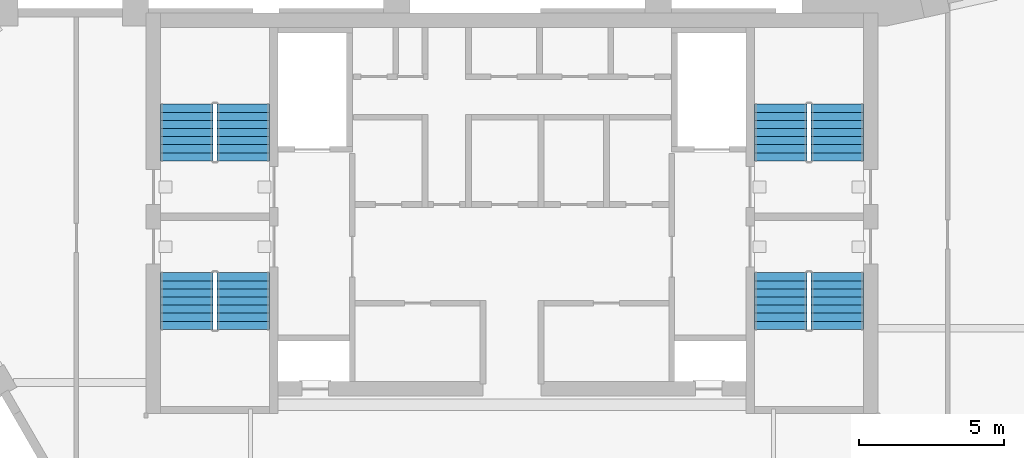
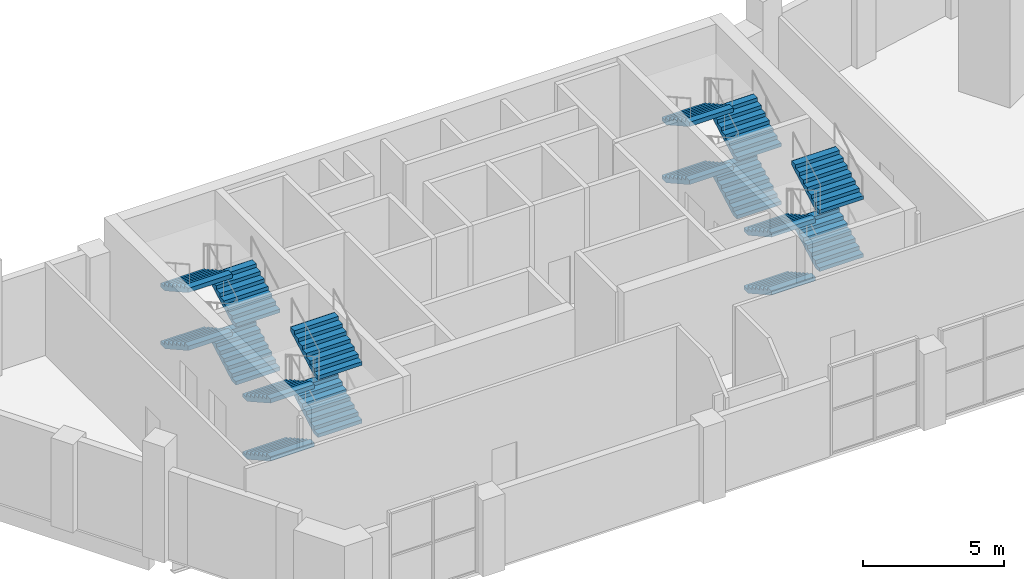
# One storey, part 7 of 9: 16 stair flights, 4 elements without a shape of their own.
"""IFC4 building model written with IfcOpenShell, lengths in metres."""

import ifcopenshell
import ifcopenshell.guid

model = None  # the IFC model being written
_history = None  # IfcOwnerHistory: only IFC2X3 demands one
_inside = {}  # id of a spatial element -> (the spatial element, [elements in it])
_under = {}  # id of a project, library or spatial element -> (it, [spatial elements below it])
_declared = {}  # id of a project -> (the project, [libraries it declares])
_typed = {}  # id of a type object -> (the type object, [elements of that type])
_made_of = {}  # id of a material, layer set ... -> (it, [elements and type objects made of it])


def new_model(schema):
    """Start an empty IFC model of exactly this schema.

    Asked for "IFC4X3", IfcOpenShell would pick the latest addendum, in which some entities
    have other attributes; the version numbers below select the first issue.
    IFC2X3 requires an IfcOwnerHistory on every rooted entity: one is made here for all.
    """
    global model, _history
    if schema == "IFC4X3":
        model = ifcopenshell.file(schema_version=(4, 3, 0, 0))
    else:
        model = ifcopenshell.file(schema=schema)
    _inside.clear()
    _under.clear()
    _declared.clear()
    _typed.clear()
    _made_of.clear()
    _history = None
    if model.schema == "IFC2X3":
        org = make("IfcOrganization", Name="unknown")
        user = make(
            "IfcPersonAndOrganization",
            ThePerson=make("IfcPerson", FamilyName="unknown"),
            TheOrganization=org,
        )
        app = make(
            "IfcApplication",
            ApplicationDeveloper=org,
            Version="unknown",
            ApplicationFullName="unknown",
            ApplicationIdentifier="unknown",
        )
        _history = make(
            "IfcOwnerHistory",
            OwningUser=user,
            OwningApplication=app,
            ChangeAction="ADDED",
            CreationDate=0,
        )
    return model


def make(cls, **values):
    """One entity of the class cls with the attributes given. An attribute that is None is left unset."""
    return model.create_entity(
        cls, **{name: value for name, value in values.items() if value is not None}
    )


def rooted(cls, **values):
    """An entity with a GlobalId (a new one), such as an element, a storey or a relation."""
    return make(cls, GlobalId=ifcopenshell.guid.new(), OwnerHistory=_history, **values)


def si_unit(unit_type, name, prefix=None):
    """IfcSIUnit, for example si_unit("LENGTHUNIT", "METRE", prefix="MILLI")."""
    return make("IfcSIUnit", UnitType=unit_type, Prefix=prefix, Name=name)


def assignment(units):
    """IfcUnitAssignment: the units of a project."""
    return None if units is None else make("IfcUnitAssignment", Units=units)


def point(xyz):
    """IfcCartesianPoint."""
    return None if xyz is None else make("IfcCartesianPoint", Coordinates=xyz)


def direction(xyz):
    """IfcDirection."""
    return None if xyz is None else make("IfcDirection", DirectionRatios=xyz)


def frame(location, z_axis=None, x_axis=None):
    """IfcAxis2Placement3D, a coordinate frame: its origin and axes. An axis left out is left unset."""
    return make(
        "IfcAxis2Placement3D",
        Location=point(location),
        Axis=direction(z_axis),
        RefDirection=direction(x_axis),
    )


def origin():
    """The frame at (0, 0, 0) with its axes left unset."""
    return frame((0.0, 0.0, 0.0))


def place(relative_to, where):
    """IfcLocalPlacement: puts the frame where relative to a parent placement (None: the world)."""
    return make(
        "IfcLocalPlacement", PlacementRelTo=relative_to, RelativePlacement=where
    )


def context(
    kind, dimensions, precision=None, world=None, true_north=None, identifier=None
):
    """IfcGeometricRepresentationContext, for example the 3D "Model" context."""
    return make(
        "IfcGeometricRepresentationContext",
        ContextIdentifier=identifier,
        ContextType=kind,
        CoordinateSpaceDimension=dimensions,
        Precision=precision,
        WorldCoordinateSystem=world,
        TrueNorth=true_north,
    )


def subcontext(parent, identifier, kind, view, scale=None):
    """IfcGeometricRepresentationSubContext, for example "Body" below "Model"."""
    return make(
        "IfcGeometricRepresentationSubContext",
        ContextIdentifier=identifier,
        ContextType=kind,
        ParentContext=parent,
        TargetScale=scale,
        TargetView=view,
    )


def project(units=None, contexts=None):
    """IfcProject with its units and contexts."""
    return rooted(
        "IfcProject",
        Name="project",
        RepresentationContexts=contexts,
        UnitsInContext=assignment(units),
    )


def spatial(cls, under=None, at=None, **own):
    """A site, building, storey or space (cls), placed at a placement, below another one or the project."""
    s = rooted(cls, ObjectPlacement=at, **own)
    if under is not None:
        _under.setdefault(under.id(), (under, []))[1].append(s)
    return s


def faces_of(points, faces, orient=None, outer=None):
    """IfcFace entities. A face is a list of loops; a loop is a list of indices into points, from 0.

    orient and outer hold one flag for each loop. By default every Orientation is true, the
    first loop of a face is its IfcFaceOuterBound and the others are IfcFaceBound.
    """
    made = []
    for i, loops in enumerate(faces):
        bounds = []
        for j, loop in enumerate(loops):
            is_outer = j == 0 if outer is None else outer[i][j]
            bounds.append(
                make(
                    "IfcFaceOuterBound" if is_outer else "IfcFaceBound",
                    Bound=make("IfcPolyLoop", Polygon=[points[k] for k in loop]),
                    Orientation=True if orient is None else orient[i][j],
                )
            )
        made.append(make("IfcFace", Bounds=bounds))
    return made


def faceted_brep(points, faces, orient=None, outer=None, voids=None):
    """IfcFacetedBrep: a solid bounded by flat faces; with voids (closed shells), ...WithVoids."""
    shared = [point(p) for p in points]
    hull = make("IfcClosedShell", CfsFaces=faces_of(shared, faces, orient, outer))
    if voids is None:
        return make("IfcFacetedBrep", Outer=hull)
    return make(
        "IfcFacetedBrepWithVoids",
        Outer=hull,
        Voids=[
            make(cls, CfsFaces=faces_of(shared, fs, o, b)) for cls, fs, o, b in voids
        ],
    )


def shape(context_of_items, identifier, shape_type, items):
    """IfcShapeRepresentation: the items that make up one representation, for example the "Body"."""
    return make(
        "IfcShapeRepresentation",
        ContextOfItems=context_of_items,
        RepresentationIdentifier=identifier,
        RepresentationType=shape_type,
        Items=items,
    )


def source(mapping_origin, context_of_items, identifier, shape_type, items):
    """IfcRepresentationMap: a shape defined once, which mapped items show again and again."""
    return make(
        "IfcRepresentationMap",
        MappingOrigin=mapping_origin,
        MappedRepresentation=shape(context_of_items, identifier, shape_type, items),
    )


def transform(
    local_origin,
    x_axis=None,
    y_axis=None,
    z_axis=None,
    scale=None,
    scale2=None,
    scale3=None,
    uniform=True,
):
    """IfcCartesianTransformationOperator3D, or its non-uniform kind. x_axis, y_axis, z_axis: its Axis1, 2, 3."""
    if uniform:
        return make(
            "IfcCartesianTransformationOperator3D",
            Axis1=direction(x_axis),
            Axis2=direction(y_axis),
            LocalOrigin=point(local_origin),
            Scale=scale,
            Axis3=direction(z_axis),
        )
    return make(
        "IfcCartesianTransformationOperator3DnonUniform",
        Axis1=direction(x_axis),
        Axis2=direction(y_axis),
        LocalOrigin=point(local_origin),
        Scale=scale,
        Axis3=direction(z_axis),
        Scale2=scale2,
        Scale3=scale3,
    )


def mapped(mapping_source, mapping_target):
    """IfcMappedItem: shows the shape of a source again, moved by a transform."""
    return make(
        "IfcMappedItem", MappingSource=mapping_source, MappingTarget=mapping_target
    )


def material(Name=None, Category=None):
    """IfcMaterial."""
    return make("IfcMaterial", Name=Name, Category=Category)


def made_of(thing, what):
    """Note that an element or type object is made of a material, layer set ...; save() writes the relation."""
    if what is not None:
        _made_of.setdefault(what.id(), (what, []))[1].append(thing)
    return thing


def type_object(cls, material=None, **own):
    """A type object (cls), such as IfcWallType, which elements share."""
    return made_of(rooted(cls, **own), material)


def element(
    cls,
    number,
    at=None,
    inside=None,
    cuts=None,
    type_object=None,
    material=None,
    context=None,
    identifier="Body",
    shape_type=None,
    held_by="IfcProductDefinitionShape",
    body=None,
    shapes=None,
    **own,
):
    """One element of the class cls, such as IfcWall. Its Tag is "e" and its number.

    at: its placement. inside: the storey or other place that contains it. cuts: it is an
    opening in that element (IfcRelVoidsElement). A single representation is given by context,
    identifier, shape_type and body (its items); several are given by shapes. held_by: the class
    of the entity that holds the representations. save() writes the other relations.
    """
    e = rooted(cls, Tag="e%d" % number, ObjectPlacement=at, **own)
    if body is not None:
        shapes = [shape(context, identifier, shape_type, body)]
    if shapes is not None:
        e.Representation = make(held_by, Representations=shapes)
    if inside is not None:
        _inside.setdefault(inside.id(), (inside, []))[1].append(e)
    if cuts is not None:
        rooted(
            "IfcRelVoidsElement", RelatingBuildingElement=cuts, RelatedOpeningElement=e
        )
    if type_object is not None:
        _typed.setdefault(type_object.id(), (type_object, []))[1].append(e)
    return made_of(e, material)


def aggregate(whole, parts):
    """IfcRelAggregates: a whole, such as a stair, and the parts it consists of."""
    return rooted("IfcRelAggregates", RelatingObject=whole, RelatedObjects=parts)


def save(model, path):
    """Write the relations noted so far, then the file.

    IfcRelAggregates (storeys below a building ...), IfcRelContainedInSpatialStructure (elements
    in a storey), IfcRelDefinesByType, IfcRelAssociatesMaterial and IfcRelDeclares: one each for
    every whole, place, type object, material and project.
    """
    for whole, parts in _under.values():
        aggregate(whole, parts)
    for where, things in _inside.values():
        rooted(
            "IfcRelContainedInSpatialStructure",
            RelatedElements=things,
            RelatingStructure=where,
        )
    for kind, things in _typed.values():
        rooted("IfcRelDefinesByType", RelatedObjects=things, RelatingType=kind)
    for what, things in _made_of.values():
        rooted("IfcRelAssociatesMaterial", RelatedObjects=things, RelatingMaterial=what)
    for by, libraries in _declared.values():
        rooted("IfcRelDeclares", RelatingContext=by, RelatedDefinitions=libraries)
    model.write(path)


model = new_model("IFC4")

# Units and contexts
model_context = context("Model", 3, precision=1e-05, world=origin(), true_north=direction((0.0, 1.0)))
body_context = subcontext(model_context, "Body", "Model", "MODEL_VIEW")
ifc_project = project(units=[si_unit("LENGTHUNIT", "METRE"), si_unit("AREAUNIT", "SQUARE_METRE"), si_unit("VOLUMEUNIT", "CUBIC_METRE"), si_unit("PLANEANGLEUNIT", "RADIAN"), si_unit("MASSUNIT", "GRAM", prefix="KILO")], contexts=[model_context])

# Site, building, storey
site_placement = place(None, origin())
site = spatial("IfcSite", under=ifc_project, at=site_placement, CompositionType="ELEMENT")
building_placement = place(site_placement, origin())
building = spatial("IfcBuilding", under=site, at=building_placement, Name="Calabash Gate Tower", CompositionType="ELEMENT")
storey_placement = place(building_placement, frame((0.0, 0.0, 330.5)))
storey = spatial("IfcBuildingStorey", under=building, at=storey_placement, Name="L77", CompositionType="ELEMENT", Elevation=330.5)

# Stair, stair flights
ifc_material_1 = material(Name="Concrete C40/50", Category="concrete")
stair_type = type_object("IfcStairType", Name="Exit stair 32 risers of 156.2 mm", PredefinedType="HALF_TURN_STAIR", material=ifc_material_1)
stair_1_placement = place(storey_placement, origin())
stair_1 = element("IfcStair", 1, at=stair_1_placement, inside=storey, type_object=stair_type, Name="L77 Exit stair ST1", PredefinedType="HALF_TURN_STAIR")
ifc_material_2 = material(Name="Concrete C40/50", Category="concrete")
stair_flight_type = type_object("IfcStairFlightType", Name="Exit stair flight SFL", PredefinedType="STRAIGHT", material=ifc_material_2)
shared_shape = source(origin(), body_context, "Body", "Brep", [
    faceted_brep([(-0.0009765625, -0.89990234375, 0.0), (0.306884765625, -0.89990234375, 0.0), (1.9541015625, -0.89990234375, 0.921875), (-0.0009765625, 0.89990234375, 0.0), (1.9541015625, 0.89990234375, 0.921875), (0.306884765625, 0.89990234375, 0.0), (1.9541015625, -0.89990234375, 1.105712890625), (1.952880859375, -0.89990234375, 1.105712890625), (1.952880859375, 0.89990234375, 1.105712890625), (1.9541015625, 0.89990234375, 1.105712890625), (1.952880859375, -0.89990234375, 1.09375), (1.952880859375, 0.89990234375, 1.09375), (1.674072265625, -0.89990234375, 1.09375), (1.674072265625, 0.89990234375, 1.09375), (1.674072265625, -0.89990234375, 0.9375), (1.674072265625, 0.89990234375, 0.9375), (1.39501953125, -0.89990234375, 0.9375), (1.39501953125, 0.89990234375, 0.9375), (1.39501953125, -0.89990234375, 0.78125), (1.39501953125, 0.89990234375, 0.78125), (1.115966796875, -0.89990234375, 0.78125), (1.115966796875, -0.89990234375, 0.625), (1.115966796875, 0.89990234375, 0.625), (1.115966796875, 0.89990234375, 0.78125), (0.8369140625, -0.89990234375, 0.625), (0.8369140625, -0.89990234375, 0.46875), (0.8369140625, 0.89990234375, 0.46875), (0.8369140625, 0.89990234375, 0.625), (0.55810546875, -0.89990234375, 0.46875), (0.55810546875, -0.89990234375, 0.3125), (0.55810546875, 0.89990234375, 0.3125), (0.55810546875, 0.89990234375, 0.46875), (0.279052734375, -0.89990234375, 0.3125), (0.279052734375, -0.89990234375, 0.15625), (0.279052734375, 0.89990234375, 0.15625), (0.279052734375, 0.89990234375, 0.3125), (-0.0009765625, -0.89990234375, 0.15625), (-0.0009765625, 0.89990234375, 0.15625), (0.306884765625, -0.360107421875, 0.0), (1.9541015625, -0.360107421875, 0.921875), (0.306884765625, -0.27001953125, 0.0), (1.9541015625, -0.27001953125, 0.921875), (0.306884765625, -0.179931640625, 0.0), (1.9541015625, -0.179931640625, 0.921875), (0.306884765625, -0.090087890625, 0.0), (1.9541015625, -0.090087890625, 0.921875), (0.306884765625, 0.0, 0.0), (1.9541015625, 0.0, 0.921875), (0.306884765625, 0.090087890625, 0.0), (1.9541015625, 0.090087890625, 0.921875), (0.306884765625, 0.179931640625, 0.0), (1.9541015625, 0.179931640625, 0.921875), (0.306884765625, 0.27001953125, 0.0), (1.9541015625, 0.27001953125, 0.921875), (0.306884765625, 0.360107421875, 0.0), (1.9541015625, 0.360107421875, 0.921875), (1.9541015625, -0.360107421875, 1.105712890625), (1.9541015625, -0.27001953125, 1.105712890625), (1.9541015625, -0.179931640625, 1.105712890625), (1.9541015625, -0.090087890625, 1.105712890625), (1.9541015625, 0.0, 1.105712890625), (1.9541015625, 0.090087890625, 1.105712890625), (1.9541015625, 0.179931640625, 1.105712890625), (1.9541015625, 0.27001953125, 1.105712890625), (1.9541015625, 0.360107421875, 1.105712890625), (1.952880859375, -0.360107421875, 1.105712890625), (1.952880859375, -0.27001953125, 1.105712890625), (1.952880859375, -0.179931640625, 1.105712890625), (1.952880859375, -0.090087890625, 1.105712890625), (1.952880859375, 0.0, 1.105712890625), (1.952880859375, 0.090087890625, 1.105712890625), (1.952880859375, 0.179931640625, 1.105712890625), (1.952880859375, 0.27001953125, 1.105712890625), (1.952880859375, 0.360107421875, 1.105712890625), (1.952880859375, -0.360107421875, 1.09375), (1.952880859375, -0.27001953125, 1.09375), (1.952880859375, -0.179931640625, 1.09375), (1.952880859375, -0.090087890625, 1.09375), (1.952880859375, 0.0, 1.09375), (1.952880859375, 0.090087890625, 1.09375), (1.952880859375, 0.179931640625, 1.09375), (1.952880859375, 0.27001953125, 1.09375), (1.952880859375, 0.360107421875, 1.09375), (1.674072265625, -0.360107421875, 1.09375), (1.674072265625, -0.27001953125, 1.09375), (1.674072265625, -0.179931640625, 1.09375), (1.674072265625, -0.090087890625, 1.09375), (1.674072265625, 0.0, 1.09375), (1.674072265625, 0.090087890625, 1.09375), (1.674072265625, 0.179931640625, 1.09375), (1.674072265625, 0.27001953125, 1.09375), (1.674072265625, 0.360107421875, 1.09375), (1.674072265625, -0.360107421875, 0.9375), (1.674072265625, -0.27001953125, 0.9375), (1.674072265625, -0.179931640625, 0.9375), (1.674072265625, -0.090087890625, 0.9375), (1.674072265625, 0.0, 0.9375), (1.674072265625, 0.090087890625, 0.9375), (1.674072265625, 0.179931640625, 0.9375), (1.674072265625, 0.27001953125, 0.9375), (1.674072265625, 0.360107421875, 0.9375), (1.39501953125, -0.360107421875, 0.9375), (1.39501953125, -0.27001953125, 0.9375), (1.39501953125, -0.179931640625, 0.9375), (1.39501953125, -0.090087890625, 0.9375), (1.39501953125, 0.0, 0.9375), (1.39501953125, 0.090087890625, 0.9375), (1.39501953125, 0.179931640625, 0.9375), (1.39501953125, 0.27001953125, 0.9375), (1.39501953125, 0.360107421875, 0.9375), (1.39501953125, -0.360107421875, 0.78125), (1.39501953125, -0.27001953125, 0.78125), (1.39501953125, -0.179931640625, 0.78125), (1.39501953125, -0.090087890625, 0.78125), (1.39501953125, 0.0, 0.78125), (1.39501953125, 0.090087890625, 0.78125), (1.39501953125, 0.179931640625, 0.78125), (1.39501953125, 0.27001953125, 0.78125), (1.39501953125, 0.360107421875, 0.78125), (1.115966796875, -0.360107421875, 0.78125), (1.115966796875, -0.27001953125, 0.78125), (1.115966796875, -0.179931640625, 0.78125), (1.115966796875, -0.090087890625, 0.78125), (1.115966796875, 0.0, 0.78125), (1.115966796875, 0.090087890625, 0.78125), (1.115966796875, 0.179931640625, 0.78125), (1.115966796875, 0.27001953125, 0.78125), (1.115966796875, 0.360107421875, 0.78125), (1.115966796875, -0.360107421875, 0.625), (1.115966796875, -0.27001953125, 0.625), (1.115966796875, -0.179931640625, 0.625), (1.115966796875, -0.090087890625, 0.625), (1.115966796875, 0.0, 0.625), (1.115966796875, 0.090087890625, 0.625), (1.115966796875, 0.179931640625, 0.625), (1.115966796875, 0.27001953125, 0.625), (1.115966796875, 0.360107421875, 0.625), (0.8369140625, -0.360107421875, 0.625), (0.8369140625, -0.27001953125, 0.625), (0.8369140625, -0.179931640625, 0.625), (0.8369140625, -0.090087890625, 0.625), (0.8369140625, 0.0, 0.625), (0.8369140625, 0.090087890625, 0.625), (0.8369140625, 0.179931640625, 0.625), (0.8369140625, 0.27001953125, 0.625), (0.8369140625, 0.360107421875, 0.625), (0.8369140625, -0.360107421875, 0.46875), (0.8369140625, -0.27001953125, 0.46875), (0.8369140625, -0.179931640625, 0.46875), (0.8369140625, -0.090087890625, 0.46875), (0.8369140625, 0.0, 0.46875), (0.8369140625, 0.090087890625, 0.46875), (0.8369140625, 0.179931640625, 0.46875), (0.8369140625, 0.27001953125, 0.46875), (0.8369140625, 0.360107421875, 0.46875), (0.55810546875, -0.360107421875, 0.46875), (0.55810546875, -0.27001953125, 0.46875), (0.55810546875, -0.179931640625, 0.46875), (0.55810546875, -0.090087890625, 0.46875), (0.55810546875, 0.0, 0.46875), (0.55810546875, 0.090087890625, 0.46875), (0.55810546875, 0.179931640625, 0.46875), (0.55810546875, 0.27001953125, 0.46875), (0.55810546875, 0.360107421875, 0.46875), (0.55810546875, -0.360107421875, 0.3125), (0.55810546875, -0.27001953125, 0.3125), (0.55810546875, -0.179931640625, 0.3125), (0.55810546875, -0.090087890625, 0.3125), (0.55810546875, 0.0, 0.3125), (0.55810546875, 0.090087890625, 0.3125), (0.55810546875, 0.179931640625, 0.3125), (0.55810546875, 0.27001953125, 0.3125), (0.55810546875, 0.360107421875, 0.3125), (0.279052734375, -0.360107421875, 0.3125), (0.279052734375, -0.27001953125, 0.3125), (0.279052734375, -0.179931640625, 0.3125), (0.279052734375, -0.090087890625, 0.3125), (0.279052734375, 0.0, 0.3125), (0.279052734375, 0.090087890625, 0.3125), (0.279052734375, 0.179931640625, 0.3125), (0.279052734375, 0.27001953125, 0.3125), (0.279052734375, 0.360107421875, 0.3125), (0.279052734375, -0.360107421875, 0.15625), (0.279052734375, -0.27001953125, 0.15625), (0.279052734375, -0.179931640625, 0.15625), (0.279052734375, -0.090087890625, 0.15625), (0.279052734375, 0.0, 0.15625), (0.279052734375, 0.090087890625, 0.15625), (0.279052734375, 0.179931640625, 0.15625), (0.279052734375, 0.27001953125, 0.15625), (0.279052734375, 0.360107421875, 0.15625), (-0.0009765625, -0.360107421875, 0.15625), (-0.0009765625, -0.27001953125, 0.15625), (-0.0009765625, -0.179931640625, 0.15625), (-0.0009765625, -0.090087890625, 0.15625), (-0.0009765625, 0.0, 0.15625), (-0.0009765625, 0.090087890625, 0.15625), (-0.0009765625, 0.179931640625, 0.15625), (-0.0009765625, 0.27001953125, 0.15625), (-0.0009765625, 0.360107421875, 0.15625), (-0.0009765625, -0.360107421875, 0.0), (-0.0009765625, -0.27001953125, 0.0), (-0.0009765625, -0.179931640625, 0.0), (-0.0009765625, -0.090087890625, 0.0), (-0.0009765625, 0.0, 0.0), (-0.0009765625, 0.090087890625, 0.0), (-0.0009765625, 0.179931640625, 0.0), (-0.0009765625, 0.27001953125, 0.0), (-0.0009765625, 0.360107421875, 0.0)], [[[0, 1, 2]], [[3, 4, 5]], [[2, 6, 7]], [[4, 8, 9]], [[2, 7, 10]], [[4, 11, 8]], [[2, 10, 12]], [[4, 13, 11]], [[2, 12, 14]], [[4, 15, 13]], [[2, 14, 16]], [[4, 17, 15]], [[2, 16, 18]], [[4, 19, 17]], [[18, 20, 21]], [[19, 22, 23]], [[2, 18, 21]], [[4, 22, 19]], [[21, 24, 25]], [[22, 26, 27]], [[2, 21, 25]], [[4, 26, 22]], [[25, 28, 29]], [[26, 30, 31]], [[2, 25, 29]], [[4, 30, 26]], [[29, 32, 33]], [[30, 34, 35]], [[2, 29, 33]], [[4, 34, 30]], [[0, 2, 33]], [[3, 34, 4]], [[33, 36, 0]], [[34, 3, 37]], [[1, 38, 2]], [[38, 39, 2]], [[38, 40, 39]], [[40, 41, 39]], [[40, 42, 41]], [[42, 43, 41]], [[42, 44, 43]], [[44, 45, 43]], [[44, 46, 45]], [[46, 47, 45]], [[46, 48, 49]], [[46, 49, 47]], [[48, 50, 51]], [[48, 51, 49]], [[50, 52, 53]], [[50, 53, 51]], [[52, 54, 55]], [[52, 55, 53]], [[54, 5, 4]], [[54, 4, 55]], [[2, 39, 6]], [[39, 56, 6]], [[39, 41, 56]], [[41, 57, 56]], [[41, 43, 57]], [[43, 58, 57]], [[43, 45, 58]], [[45, 59, 58]], [[45, 47, 59]], [[47, 60, 59]], [[47, 49, 61]], [[47, 61, 60]], [[49, 51, 62]], [[49, 62, 61]], [[51, 53, 63]], [[51, 63, 62]], [[53, 55, 64]], [[53, 64, 63]], [[55, 4, 9]], [[55, 9, 64]], [[6, 56, 7]], [[56, 65, 7]], [[56, 57, 65]], [[57, 66, 65]], [[57, 58, 66]], [[58, 67, 66]], [[58, 59, 67]], [[59, 68, 67]], [[59, 60, 68]], [[60, 69, 68]], [[60, 61, 70]], [[60, 70, 69]], [[61, 62, 71]], [[61, 71, 70]], [[62, 63, 72]], [[62, 72, 71]], [[63, 64, 73]], [[63, 73, 72]], [[64, 9, 8]], [[64, 8, 73]], [[7, 65, 10]], [[65, 74, 10]], [[65, 66, 74]], [[66, 75, 74]], [[66, 67, 75]], [[67, 76, 75]], [[67, 68, 76]], [[68, 77, 76]], [[68, 69, 77]], [[69, 78, 77]], [[69, 70, 79]], [[69, 79, 78]], [[70, 71, 80]], [[70, 80, 79]], [[71, 72, 81]], [[71, 81, 80]], [[72, 73, 82]], [[72, 82, 81]], [[73, 8, 11]], [[73, 11, 82]], [[10, 74, 12]], [[74, 83, 12]], [[74, 75, 83]], [[75, 84, 83]], [[75, 76, 84]], [[76, 85, 84]], [[76, 77, 85]], [[77, 86, 85]], [[77, 78, 86]], [[78, 87, 86]], [[78, 79, 88]], [[78, 88, 87]], [[79, 80, 89]], [[79, 89, 88]], [[80, 81, 90]], [[80, 90, 89]], [[81, 82, 91]], [[81, 91, 90]], [[82, 11, 13]], [[82, 13, 91]], [[12, 83, 14]], [[83, 92, 14]], [[83, 84, 92]], [[84, 93, 92]], [[84, 85, 93]], [[85, 94, 93]], [[85, 86, 94]], [[86, 95, 94]], [[86, 87, 95]], [[87, 96, 95]], [[87, 88, 97]], [[87, 97, 96]], [[88, 89, 98]], [[88, 98, 97]], [[89, 90, 99]], [[89, 99, 98]], [[90, 91, 100]], [[90, 100, 99]], [[91, 13, 15]], [[91, 15, 100]], [[14, 92, 16]], [[92, 101, 16]], [[92, 93, 101]], [[93, 102, 101]], [[93, 94, 102]], [[94, 103, 102]], [[94, 95, 103]], [[95, 104, 103]], [[95, 96, 104]], [[96, 105, 104]], [[96, 97, 106]], [[96, 106, 105]], [[97, 98, 107]], [[97, 107, 106]], [[98, 99, 108]], [[98, 108, 107]], [[99, 100, 109]], [[99, 109, 108]], [[100, 15, 17]], [[100, 17, 109]], [[16, 101, 18]], [[101, 110, 18]], [[101, 102, 110]], [[102, 111, 110]], [[102, 103, 111]], [[103, 112, 111]], [[103, 104, 112]], [[104, 113, 112]], [[104, 105, 113]], [[105, 114, 113]], [[105, 106, 115]], [[105, 115, 114]], [[106, 107, 116]], [[106, 116, 115]], [[107, 108, 117]], [[107, 117, 116]], [[108, 109, 118]], [[108, 118, 117]], [[109, 17, 19]], [[109, 19, 118]], [[18, 110, 20]], [[110, 119, 20]], [[110, 111, 119]], [[111, 120, 119]], [[111, 112, 120]], [[112, 121, 120]], [[112, 113, 121]], [[113, 122, 121]], [[113, 114, 122]], [[114, 123, 122]], [[114, 115, 124]], [[114, 124, 123]], [[115, 116, 125]], [[115, 125, 124]], [[116, 117, 126]], [[116, 126, 125]], [[117, 118, 127]], [[117, 127, 126]], [[118, 19, 23]], [[118, 23, 127]], [[20, 119, 21]], [[119, 128, 21]], [[119, 120, 128]], [[120, 129, 128]], [[120, 121, 129]], [[121, 130, 129]], [[121, 122, 130]], [[122, 131, 130]], [[122, 123, 131]], [[123, 132, 131]], [[123, 124, 133]], [[123, 133, 132]], [[124, 125, 134]], [[124, 134, 133]], [[125, 126, 135]], [[125, 135, 134]], [[126, 127, 136]], [[126, 136, 135]], [[127, 23, 22]], [[127, 22, 136]], [[21, 128, 24]], [[128, 137, 24]], [[128, 129, 137]], [[129, 138, 137]], [[129, 130, 138]], [[130, 139, 138]], [[130, 131, 139]], [[131, 140, 139]], [[131, 132, 140]], [[132, 141, 140]], [[132, 133, 142]], [[132, 142, 141]], [[133, 134, 143]], [[133, 143, 142]], [[134, 135, 144]], [[134, 144, 143]], [[135, 136, 145]], [[135, 145, 144]], [[136, 22, 27]], [[136, 27, 145]], [[24, 137, 25]], [[137, 146, 25]], [[137, 138, 146]], [[138, 147, 146]], [[138, 139, 147]], [[139, 148, 147]], [[139, 140, 148]], [[140, 149, 148]], [[140, 141, 149]], [[141, 150, 149]], [[141, 142, 151]], [[141, 151, 150]], [[142, 143, 152]], [[142, 152, 151]], [[143, 144, 153]], [[143, 153, 152]], [[144, 145, 154]], [[144, 154, 153]], [[145, 27, 26]], [[145, 26, 154]], [[25, 146, 28]], [[146, 155, 28]], [[146, 147, 155]], [[147, 156, 155]], [[147, 148, 156]], [[148, 157, 156]], [[148, 149, 157]], [[149, 158, 157]], [[149, 150, 158]], [[150, 159, 158]], [[150, 151, 160]], [[150, 160, 159]], [[151, 152, 161]], [[151, 161, 160]], [[152, 153, 162]], [[152, 162, 161]], [[153, 154, 163]], [[153, 163, 162]], [[154, 26, 31]], [[154, 31, 163]], [[28, 155, 29]], [[155, 164, 29]], [[155, 156, 164]], [[156, 165, 164]], [[156, 157, 165]], [[157, 166, 165]], [[157, 158, 166]], [[158, 167, 166]], [[158, 159, 167]], [[159, 168, 167]], [[159, 160, 169]], [[159, 169, 168]], [[160, 161, 170]], [[160, 170, 169]], [[161, 162, 171]], [[161, 171, 170]], [[162, 163, 172]], [[162, 172, 171]], [[163, 31, 30]], [[163, 30, 172]], [[29, 164, 32]], [[164, 173, 32]], [[164, 165, 173]], [[165, 174, 173]], [[165, 166, 174]], [[166, 175, 174]], [[166, 167, 175]], [[167, 176, 175]], [[167, 168, 176]], [[168, 177, 176]], [[168, 169, 178]], [[168, 178, 177]], [[169, 170, 179]], [[169, 179, 178]], [[170, 171, 180]], [[170, 180, 179]], [[171, 172, 181]], [[171, 181, 180]], [[172, 30, 35]], [[172, 35, 181]], [[32, 173, 33]], [[173, 182, 33]], [[173, 174, 182]], [[174, 183, 182]], [[174, 175, 183]], [[175, 184, 183]], [[175, 176, 184]], [[176, 185, 184]], [[176, 177, 185]], [[177, 186, 185]], [[177, 178, 187]], [[177, 187, 186]], [[178, 179, 188]], [[178, 188, 187]], [[179, 180, 189]], [[179, 189, 188]], [[180, 181, 190]], [[180, 190, 189]], [[181, 35, 34]], [[181, 34, 190]], [[33, 182, 36]], [[182, 191, 36]], [[182, 183, 191]], [[183, 192, 191]], [[183, 184, 192]], [[184, 193, 192]], [[184, 185, 193]], [[185, 194, 193]], [[185, 186, 194]], [[186, 195, 194]], [[186, 187, 196]], [[186, 196, 195]], [[187, 188, 197]], [[187, 197, 196]], [[188, 189, 198]], [[188, 198, 197]], [[189, 190, 199]], [[189, 199, 198]], [[190, 34, 37]], [[190, 37, 199]], [[36, 191, 0]], [[191, 200, 0]], [[191, 192, 200]], [[192, 201, 200]], [[192, 193, 201]], [[193, 202, 201]], [[193, 194, 202]], [[194, 203, 202]], [[194, 195, 203]], [[195, 204, 203]], [[195, 196, 205]], [[195, 205, 204]], [[196, 197, 206]], [[196, 206, 205]], [[197, 198, 207]], [[197, 207, 206]], [[198, 199, 208]], [[198, 208, 207]], [[199, 37, 3]], [[199, 3, 208]], [[0, 200, 1]], [[200, 38, 1]], [[200, 201, 38]], [[201, 40, 38]], [[201, 202, 40]], [[202, 42, 40]], [[202, 203, 42]], [[203, 44, 42]], [[203, 204, 44]], [[204, 46, 44]], [[204, 205, 48]], [[204, 48, 46]], [[205, 206, 50]], [[205, 50, 48]], [[206, 207, 52]], [[206, 52, 50]], [[207, 208, 54]], [[207, 54, 52]], [[208, 3, 5]], [[208, 5, 54]]]),
])
stair_flight_1_placement = place(storey_placement, frame((-9.25, 13.95263671875, 0.0), z_axis=(0.0, 0.0, 1.0), x_axis=(0.0, 1.0, 0.0)))
stair_flight_1 = element("IfcStairFlight", 2, at=stair_flight_1_placement, type_object=stair_flight_type, Name="ST1 flight 1", NumberOfRisers=8, NumberOfTreads=7, PredefinedType="STRAIGHT", RiserHeight=0.15625, TreadLength=0.279, context=body_context, shape_type="MappedRepresentation", body=[
    mapped(shared_shape, transform((0.0, 0.0, 0.0), scale=1.0)),
])
stair_flight_2_placement = place(storey_placement, frame((-11.199951171875, 15.905517578125, 1.25), z_axis=(0.0, 0.0, 1.0), x_axis=(0.0, -1.0, 0.0)))
stair_flight_2 = element("IfcStairFlight", 3, at=stair_flight_2_placement, type_object=stair_flight_type, Name="ST1 flight 2", NumberOfRisers=8, NumberOfTreads=7, PredefinedType="STRAIGHT", RiserHeight=0.15625, TreadLength=0.279, context=body_context, shape_type="MappedRepresentation", body=[
    mapped(shared_shape, transform((0.0, 0.0, 0.0), scale=1.0)),
])
stair_flight_3_placement = place(storey_placement, frame((-9.25, 13.95263671875, 2.5), z_axis=(0.0, 0.0, 1.0), x_axis=(0.0, 1.0, 0.0)))
stair_flight_3 = element("IfcStairFlight", 4, at=stair_flight_3_placement, type_object=stair_flight_type, Name="ST1 flight 3", NumberOfRisers=8, NumberOfTreads=7, PredefinedType="STRAIGHT", RiserHeight=0.15625, TreadLength=0.279, context=body_context, shape_type="MappedRepresentation", body=[
    mapped(shared_shape, transform((0.0, 0.0, 0.0), scale=1.0)),
])
stair_flight_4_placement = place(storey_placement, frame((-11.199951171875, 15.905517578125, 3.75), z_axis=(0.0, 0.0, 1.0), x_axis=(0.0, -1.0, 0.0)))
stair_flight_4 = element("IfcStairFlight", 5, at=stair_flight_4_placement, type_object=stair_flight_type, Name="ST1 flight 4", NumberOfRisers=8, NumberOfTreads=7, PredefinedType="STRAIGHT", RiserHeight=0.15625, TreadLength=0.279, context=body_context, shape_type="MappedRepresentation", body=[
    mapped(shared_shape, transform((0.0, 0.0, 0.0), scale=1.0)),
])
aggregate(stair_1, [stair_flight_1, stair_flight_2, stair_flight_3, stair_flight_4])

stair_2_placement = place(storey_placement, origin())
stair_2 = element("IfcStair", 6, at=stair_2_placement, inside=storey, type_object=stair_type, Name="L77 Exit stair ST2", PredefinedType="HALF_TURN_STAIR")
stair_flight_5_placement = place(storey_placement, frame((-11.199951171875, 10.1025390625, 0.0), z_axis=(0.0, 0.0, 1.0), x_axis=(0.0, -1.0, 0.0)))
stair_flight_5 = element("IfcStairFlight", 7, at=stair_flight_5_placement, type_object=stair_flight_type, Name="ST2 flight 1", NumberOfRisers=8, NumberOfTreads=7, PredefinedType="STRAIGHT", RiserHeight=0.15625, TreadLength=0.279, context=body_context, shape_type="MappedRepresentation", body=[
    mapped(shared_shape, transform((0.0, 0.0, 0.0), scale=1.0)),
])
stair_flight_6_placement = place(storey_placement, frame((-9.25, 8.149658203125, 1.25), z_axis=(0.0, 0.0, 1.0), x_axis=(0.0, 1.0, 0.0)))
stair_flight_6 = element("IfcStairFlight", 8, at=stair_flight_6_placement, type_object=stair_flight_type, Name="ST2 flight 2", NumberOfRisers=8, NumberOfTreads=7, PredefinedType="STRAIGHT", RiserHeight=0.15625, TreadLength=0.279, context=body_context, shape_type="MappedRepresentation", body=[
    mapped(shared_shape, transform((0.0, 0.0, 0.0), scale=1.0)),
])
stair_flight_7_placement = place(storey_placement, frame((-11.199951171875, 10.1025390625, 2.5), z_axis=(0.0, 0.0, 1.0), x_axis=(0.0, -1.0, 0.0)))
stair_flight_7 = element("IfcStairFlight", 9, at=stair_flight_7_placement, type_object=stair_flight_type, Name="ST2 flight 3", NumberOfRisers=8, NumberOfTreads=7, PredefinedType="STRAIGHT", RiserHeight=0.15625, TreadLength=0.279, context=body_context, shape_type="MappedRepresentation", body=[
    mapped(shared_shape, transform((0.0, 0.0, 0.0), scale=1.0)),
])
stair_flight_8_placement = place(storey_placement, frame((-9.25, 8.149658203125, 3.75), z_axis=(0.0, 0.0, 1.0), x_axis=(0.0, 1.0, 0.0)))
stair_flight_8 = element("IfcStairFlight", 10, at=stair_flight_8_placement, type_object=stair_flight_type, Name="ST2 flight 4", NumberOfRisers=8, NumberOfTreads=7, PredefinedType="STRAIGHT", RiserHeight=0.15625, TreadLength=0.279, context=body_context, shape_type="MappedRepresentation", body=[
    mapped(shared_shape, transform((0.0, 0.0, 0.0), scale=1.0)),
])
aggregate(stair_2, [stair_flight_5, stair_flight_6, stair_flight_7, stair_flight_8])

stair_3_placement = place(storey_placement, origin())
stair_3 = element("IfcStair", 11, at=stair_3_placement, inside=storey, type_object=stair_type, Name="L77 Exit stair ST3", PredefinedType="HALF_TURN_STAIR")
stair_flight_9_placement = place(storey_placement, frame((11.199951171875, 13.95263671875, 0.0), z_axis=(0.0, 0.0, 1.0), x_axis=(0.0, 1.0, 0.0)))
stair_flight_9 = element("IfcStairFlight", 12, at=stair_flight_9_placement, type_object=stair_flight_type, Name="ST3 flight 1", NumberOfRisers=8, NumberOfTreads=7, PredefinedType="STRAIGHT", RiserHeight=0.15625, TreadLength=0.279, context=body_context, shape_type="MappedRepresentation", body=[
    mapped(shared_shape, transform((0.0, 0.0, 0.0), scale=1.0)),
])
stair_flight_10_placement = place(storey_placement, frame((9.25, 15.905517578125, 1.25), z_axis=(0.0, 0.0, 1.0), x_axis=(0.0, -1.0, 0.0)))
stair_flight_10 = element("IfcStairFlight", 13, at=stair_flight_10_placement, type_object=stair_flight_type, Name="ST3 flight 2", NumberOfRisers=8, NumberOfTreads=7, PredefinedType="STRAIGHT", RiserHeight=0.15625, TreadLength=0.279, context=body_context, shape_type="MappedRepresentation", body=[
    mapped(shared_shape, transform((0.0, 0.0, 0.0), scale=1.0)),
])
stair_flight_11_placement = place(storey_placement, frame((11.199951171875, 13.95263671875, 2.5), z_axis=(0.0, 0.0, 1.0), x_axis=(0.0, 1.0, 0.0)))
stair_flight_11 = element("IfcStairFlight", 14, at=stair_flight_11_placement, type_object=stair_flight_type, Name="ST3 flight 3", NumberOfRisers=8, NumberOfTreads=7, PredefinedType="STRAIGHT", RiserHeight=0.15625, TreadLength=0.279, context=body_context, shape_type="MappedRepresentation", body=[
    mapped(shared_shape, transform((0.0, 0.0, 0.0), scale=1.0)),
])
stair_flight_12_placement = place(storey_placement, frame((9.25, 15.905517578125, 3.75), z_axis=(0.0, 0.0, 1.0), x_axis=(0.0, -1.0, 0.0)))
stair_flight_12 = element("IfcStairFlight", 15, at=stair_flight_12_placement, type_object=stair_flight_type, Name="ST3 flight 4", NumberOfRisers=8, NumberOfTreads=7, PredefinedType="STRAIGHT", RiserHeight=0.15625, TreadLength=0.279, context=body_context, shape_type="MappedRepresentation", body=[
    mapped(shared_shape, transform((0.0, 0.0, 0.0), scale=1.0)),
])
aggregate(stair_3, [stair_flight_9, stair_flight_10, stair_flight_11, stair_flight_12])

stair_4_placement = place(storey_placement, origin())
stair_4 = element("IfcStair", 16, at=stair_4_placement, inside=storey, type_object=stair_type, Name="L77 Exit stair ST4", PredefinedType="HALF_TURN_STAIR")
stair_flight_13_placement = place(storey_placement, frame((9.25, 10.1025390625, 0.0), z_axis=(0.0, 0.0, 1.0), x_axis=(0.0, -1.0, 0.0)))
stair_flight_13 = element("IfcStairFlight", 17, at=stair_flight_13_placement, type_object=stair_flight_type, Name="ST4 flight 1", NumberOfRisers=8, NumberOfTreads=7, PredefinedType="STRAIGHT", RiserHeight=0.15625, TreadLength=0.279, context=body_context, shape_type="MappedRepresentation", body=[
    mapped(shared_shape, transform((0.0, 0.0, 0.0), scale=1.0)),
])
stair_flight_14_placement = place(storey_placement, frame((11.199951171875, 8.149658203125, 1.25), z_axis=(0.0, 0.0, 1.0), x_axis=(0.0, 1.0, 0.0)))
stair_flight_14 = element("IfcStairFlight", 18, at=stair_flight_14_placement, type_object=stair_flight_type, Name="ST4 flight 2", NumberOfRisers=8, NumberOfTreads=7, PredefinedType="STRAIGHT", RiserHeight=0.15625, TreadLength=0.279, context=body_context, shape_type="MappedRepresentation", body=[
    mapped(shared_shape, transform((0.0, 0.0, 0.0), scale=1.0)),
])
stair_flight_15_placement = place(storey_placement, frame((9.25, 10.1025390625, 2.5), z_axis=(0.0, 0.0, 1.0), x_axis=(0.0, -1.0, 0.0)))
stair_flight_15 = element("IfcStairFlight", 19, at=stair_flight_15_placement, type_object=stair_flight_type, Name="ST4 flight 3", NumberOfRisers=8, NumberOfTreads=7, PredefinedType="STRAIGHT", RiserHeight=0.15625, TreadLength=0.279, context=body_context, shape_type="MappedRepresentation", body=[
    mapped(shared_shape, transform((0.0, 0.0, 0.0), scale=1.0)),
])
stair_flight_16_placement = place(storey_placement, frame((11.199951171875, 8.149658203125, 3.75), z_axis=(0.0, 0.0, 1.0), x_axis=(0.0, 1.0, 0.0)))
stair_flight_16 = element("IfcStairFlight", 20, at=stair_flight_16_placement, type_object=stair_flight_type, Name="ST4 flight 4", NumberOfRisers=8, NumberOfTreads=7, PredefinedType="STRAIGHT", RiserHeight=0.15625, TreadLength=0.279, context=body_context, shape_type="MappedRepresentation", body=[
    mapped(shared_shape, transform((0.0, 0.0, 0.0), scale=1.0)),
])
aggregate(stair_4, [stair_flight_13, stair_flight_14, stair_flight_15, stair_flight_16])

save(model, "model.ifc")
